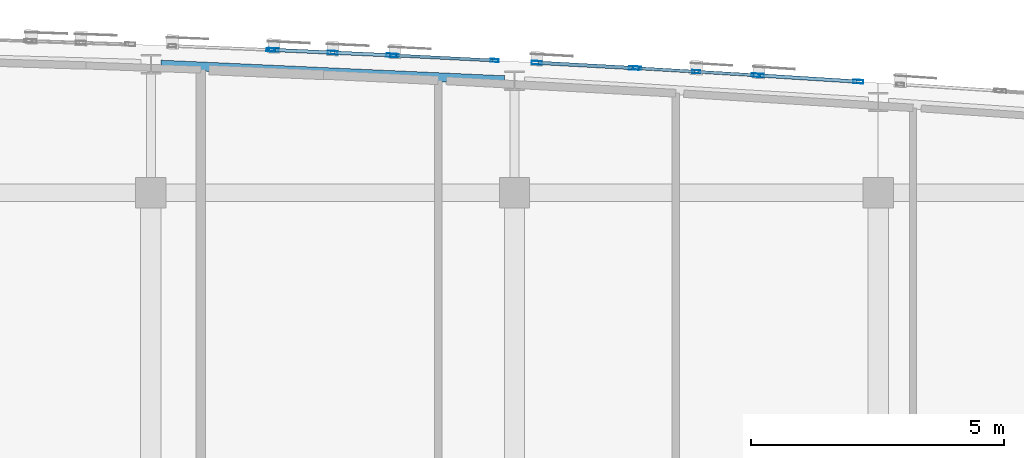
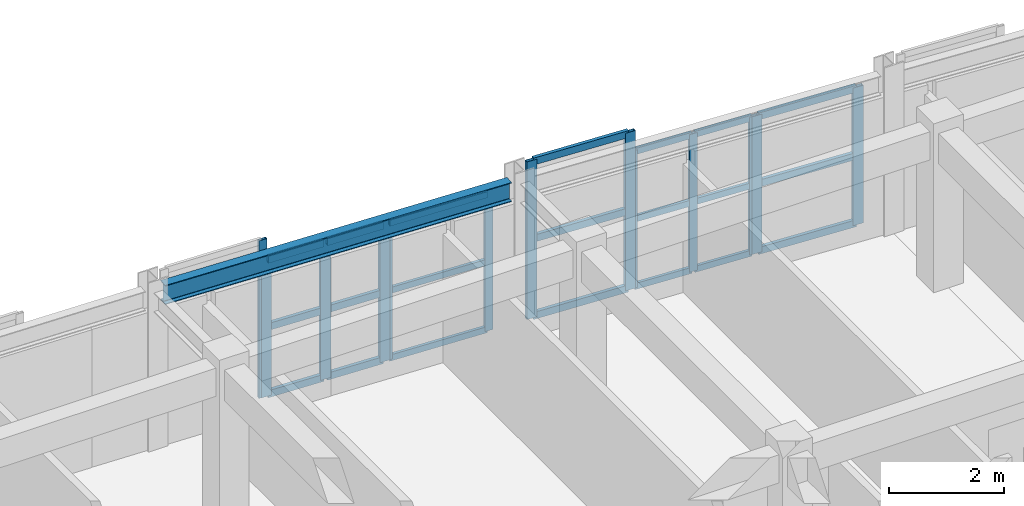
# One storey, part 21 of 45: 34 members, 1 beam, 6 elements without a shape of their own.
"""IFC4 building model written with IfcOpenShell, lengths in metres."""

from ifc_helpers import new_model, si_unit, direction, frame, origin, origin_2d, place, context, subcontext, project, spatial, hollow_rectangle, i_section, extrude, material, layer, layer_set, material_profile, profile_set, type_object, element, aggregate, save


model = new_model("IFC4")

# Units and contexts
model_context = context("Model", 3, precision=1e-05, world=origin(), true_north=direction((0.0, 1.0)))
body_context = subcontext(model_context, "Body", "Model", "MODEL_VIEW")
ifc_project = project(units=[si_unit("LENGTHUNIT", "METRE"), si_unit("AREAUNIT", "SQUARE_METRE"), si_unit("VOLUMEUNIT", "CUBIC_METRE"), si_unit("PLANEANGLEUNIT", "RADIAN"), si_unit("MASSUNIT", "GRAM", prefix="KILO")], contexts=[model_context])

# Site, building, storey
site_placement = place(None, origin())
site = spatial("IfcSite", under=ifc_project, at=site_placement, CompositionType="ELEMENT")
building_placement = place(site_placement, origin())
building = spatial("IfcBuilding", under=site, at=building_placement, Name="Carrowvane Square Congress Hotel", CompositionType="ELEMENT")
storey_placement = place(building_placement, frame((0.0, 0.0, 33.60009765625)))
storey = spatial("IfcBuildingStorey", under=building, at=storey_placement, Name="L08", CompositionType="ELEMENT", Elevation=33.60009765625)

# Beam
ifc_material_1 = material(Name="Steel S355", Category="steel")
ifc_material_profile_1 = material_profile(ifc_material_1, i_section(OverallWidth=0.1787109375, OverallDepth=0.409423828125, WebThickness=0.0087890625, FlangeThickness=0.014404296875, FilletRadius=0.01025390625, at=origin_2d()), Name="UKB 406x178x67")
ifc_profile_set_1 = profile_set([ifc_material_profile_1], Name="Steel S355")
beam_type = type_object("IfcBeamType", Name="BM-ST-UKB406", PredefinedType="BEAM", material=ifc_profile_set_1)
beam_placement = place(storey_placement, frame((112.59716796875, 115.93505859375, 3.1552734375), z_axis=(0.99897355857, -0.045297122185, 0.0), x_axis=(0.045297122185, 0.99897355857, 0.0)))
element("IfcBeam", 1, at=beam_placement, inside=storey, type_object=beam_type, Name="L09 curved north spandrel", PredefinedType="BEAM", context=body_context, shape_type="SweptSolid", body=[
    extrude(i_section(OverallWidth=0.1787109375, OverallDepth=0.409423828125, WebThickness=0.0087890625, FlangeThickness=0.014404296875, FilletRadius=0.01025390625, at=origin_2d()), origin(), (0.0, 0.0, 1.0), 6.812744140625),
])

# Curtain wall, member
ifc_material_2 = material(Name="Anodised aluminium", Category="aluminium")
ifc_layer_1 = layer(ifc_material_2, 0.162109375)
ifc_layer_set_1 = layer_set([ifc_layer_1], Name="Anodised aluminium")
curtain_wall_type_1 = type_object("IfcCurtainWallType", Name="CW-SYS-1", PredefinedType="NOTDEFINED", material=ifc_layer_set_1)
curtain_wall_1_placement = place(storey_placement, origin())
curtain_wall_1 = element("IfcCurtainWall", 2, at=curtain_wall_1_placement, inside=storey, type_object=curtain_wall_type_1, Name="L08 unitised curtain wall 488", PredefinedType="NOTDEFINED")
ifc_material_3 = material(Name="Anodised aluminium", Category="aluminium")
ifc_material_profile_2 = material_profile(ifc_material_3, hollow_rectangle(XDim=0.06005859375, YDim=0.159912109375, WallThickness=0.00390625, at=origin_2d()), Name="CW-ML 60x160x4")
ifc_profile_set_2 = profile_set([ifc_material_profile_2], Name="Anodised aluminium")
member_type_1 = type_object("IfcMemberType", Name="CW-MUL-1", PredefinedType="MULLION", material=ifc_profile_set_2)
member_1_placement = place(storey_placement, frame((114.77001953125, 116.228759765625, 0.0), z_axis=(0.0, 0.0, 1.0), x_axis=(0.040130957403, 0.999194428656, 0.0)))
member_1 = element("IfcMember", 3, at=member_1_placement, type_object=member_type_1, Name="CW-1 mullion 2", PredefinedType="MULLION", context=body_context, shape_type="SweptSolid", body=[
    extrude(hollow_rectangle(XDim=0.06005859375, YDim=0.159912109375, WallThickness=0.00390625, at=origin_2d()), origin(), (0.0, 0.0, 1.0), 3.35986328125),
])
aggregate(curtain_wall_1, [member_1])

# Curtain wall, members
ifc_material_4 = material(Name="Anodised aluminium", Category="aluminium")
ifc_layer_2 = layer(ifc_material_4, 0.18603515625)
ifc_layer_set_2 = layer_set([ifc_layer_2], Name="Anodised aluminium")
curtain_wall_type_2 = type_object("IfcCurtainWallType", Name="CW-SYS-3", PredefinedType="NOTDEFINED", material=ifc_layer_set_2)
curtain_wall_2_placement = place(storey_placement, origin())
curtain_wall_2 = element("IfcCurtainWall", 4, at=curtain_wall_2_placement, inside=storey, type_object=curtain_wall_type_2, Name="L08 unitised curtain wall 490", PredefinedType="NOTDEFINED")
member_2_placement = place(storey_placement, frame((117.22998046875, 116.116943359375, 0.0), z_axis=(0.0, 0.0, 1.0), x_axis=(0.050323791596, 0.998732955299, 0.0)))
member_2 = element("IfcMember", 5, at=member_2_placement, type_object=member_type_1, Name="CW-3 mullion 1", PredefinedType="MULLION", context=body_context, shape_type="SweptSolid", body=[
    extrude(hollow_rectangle(XDim=0.06005859375, YDim=0.159912109375, WallThickness=0.00390625, at=origin_2d()), origin(), (0.0, 0.0, 1.0), 2.935546875),
])
member_3_placement = place(storey_placement, frame((119.20556640625, 116.017578125, 0.0), z_axis=(0.0, 0.0, 1.0), x_axis=(0.050323791596, 0.998732955299, 0.0)))
member_3 = element("IfcMember", 6, at=member_3_placement, type_object=member_type_1, Name="CW-3 mullion 2", PredefinedType="MULLION", context=body_context, shape_type="SweptSolid", body=[
    extrude(hollow_rectangle(XDim=0.06005859375, YDim=0.159912109375, WallThickness=0.00390625, at=origin_2d()), origin(), (0.0, 0.0, 1.0), 2.935546875),
])

ifc_material_5 = material(Name="Anodised aluminium", Category="aluminium")
ifc_layer_3 = layer(ifc_material_5, 0.2099609375)
ifc_layer_set_3 = layer_set([ifc_layer_3], Name="Anodised aluminium")
curtain_wall_type_3 = type_object("IfcCurtainWallType", Name="CW-SYS-5", PredefinedType="NOTDEFINED", material=ifc_layer_set_3)
curtain_wall_3_placement = place(storey_placement, origin())
curtain_wall_3 = element("IfcCurtainWall", 7, at=curtain_wall_3_placement, inside=storey, type_object=curtain_wall_type_3, Name="L08 unitised curtain wall 492", PredefinedType="NOTDEFINED")
member_4_placement = place(storey_placement, frame((122.030029296875, 115.864013671875, 0.0), z_axis=(0.0, 0.0, 1.0), x_axis=(0.058851249486, 0.998266763162, 0.0)))
member_4 = element("IfcMember", 8, at=member_4_placement, type_object=member_type_1, Name="CW-5 mullion 1", PredefinedType="MULLION", context=body_context, shape_type="SweptSolid", body=[
    extrude(hollow_rectangle(XDim=0.06005859375, YDim=0.159912109375, WallThickness=0.00390625, at=origin_2d()), origin(), (0.0, 0.0, 1.0), 2.935546875),
])
member_5_placement = place(storey_placement, frame((123.199951171875, 115.795166015625, 0.0), z_axis=(0.0, 0.0, 1.0), x_axis=(0.058851249486, 0.998266763162, 0.0)))
member_5 = element("IfcMember", 9, at=member_5_placement, type_object=member_type_1, Name="CW-5 mullion 2", PredefinedType="MULLION", context=body_context, shape_type="SweptSolid", body=[
    extrude(hollow_rectangle(XDim=0.06005859375, YDim=0.159912109375, WallThickness=0.00390625, at=origin_2d()), origin(), (0.0, 0.0, 1.0), 2.935546875),
])
member_6_placement = place(storey_placement, frame((124.3701171875, 115.72607421875, 0.0), z_axis=(0.0, 0.0, 1.0), x_axis=(0.058851249486, 0.998266763162, 0.0)))
member_6 = element("IfcMember", 10, at=member_6_placement, type_object=member_type_1, Name="CW-5 mullion 3", PredefinedType="MULLION", context=body_context, shape_type="SweptSolid", body=[
    extrude(hollow_rectangle(XDim=0.06005859375, YDim=0.159912109375, WallThickness=0.00390625, at=origin_2d()), origin(), (0.0, 0.0, 1.0), 2.935546875),
])

ifc_material_6 = material(Name="Anodised aluminium", Category="aluminium")
ifc_layer_4 = layer(ifc_material_6, 0.174072265625)
ifc_layer_set_4 = layer_set([ifc_layer_4], Name="Anodised aluminium")
curtain_wall_type_4 = type_object("IfcCurtainWallType", Name="CW-SYS-2", PredefinedType="NOTDEFINED", material=ifc_layer_set_4)
curtain_wall_4_placement = place(storey_placement, origin())
curtain_wall_4 = element("IfcCurtainWall", 11, at=curtain_wall_4_placement, inside=storey, type_object=curtain_wall_type_4, Name="L08 unitised curtain wall 489", PredefinedType="NOTDEFINED")
ifc_material_7 = material(Name="Anodised aluminium", Category="aluminium")
ifc_material_profile_3 = material_profile(ifc_material_7, hollow_rectangle(XDim=0.070068359375, YDim=0.199951171875, WallThickness=0.0048828125, at=origin_2d()), Name="CW-ML 70x200x5")
ifc_profile_set_3 = profile_set([ifc_material_profile_3], Name="Anodised aluminium")
member_type_2 = type_object("IfcMemberType", Name="CW-MUL-2", PredefinedType="MULLION", material=ifc_profile_set_3)
member_7_placement = place(storey_placement, frame((114.8349609375, 116.22607421875, 0.0), z_axis=(0.0, 0.0, 1.0), x_axis=(0.045411059449, 0.998968385726, 0.0)))
member_7 = element("IfcMember", 12, at=member_7_placement, type_object=member_type_2, Name="CW-2 mullion 1", PredefinedType="MULLION", context=body_context, shape_type="SweptSolid", body=[
    extrude(hollow_rectangle(XDim=0.070068359375, YDim=0.199951171875, WallThickness=0.0048828125, at=origin_2d()), origin(), (0.0, 0.0, 1.0), 2.935546875),
])
member_8_placement = place(storey_placement, frame((116.0, 116.173095703125, 0.0), z_axis=(0.0, 0.0, 1.0), x_axis=(0.045411059449, 0.998968385726, 0.0)))
member_8 = element("IfcMember", 13, at=member_8_placement, type_object=member_type_2, Name="CW-2 mullion 2", PredefinedType="MULLION", context=body_context, shape_type="SweptSolid", body=[
    extrude(hollow_rectangle(XDim=0.070068359375, YDim=0.199951171875, WallThickness=0.0048828125, at=origin_2d()), origin(), (0.0, 0.0, 1.0), 2.935546875),
])
member_9_placement = place(storey_placement, frame((117.1650390625, 116.1201171875, 0.0), z_axis=(0.0, 0.0, 1.0), x_axis=(0.045411059449, 0.998968385726, 0.0)))
member_9 = element("IfcMember", 14, at=member_9_placement, type_object=member_type_2, Name="CW-2 mullion 3", PredefinedType="MULLION", context=body_context, shape_type="SweptSolid", body=[
    extrude(hollow_rectangle(XDim=0.070068359375, YDim=0.199951171875, WallThickness=0.0048828125, at=origin_2d()), origin(), (0.0, 0.0, 1.0), 2.935546875),
])

ifc_material_8 = material(Name="Anodised aluminium", Category="aluminium")
ifc_layer_5 = layer(ifc_material_8, 0.197998046875)
ifc_layer_set_5 = layer_set([ifc_layer_5], Name="Anodised aluminium")
curtain_wall_type_5 = type_object("IfcCurtainWallType", Name="CW-SYS-4", PredefinedType="NOTDEFINED", material=ifc_layer_set_5)
curtain_wall_5_placement = place(storey_placement, origin())
curtain_wall_5 = element("IfcCurtainWall", 15, at=curtain_wall_5_placement, inside=storey, type_object=curtain_wall_type_5, Name="L08 unitised curtain wall 491", PredefinedType="NOTDEFINED")
member_10_placement = place(storey_placement, frame((120.03955078125, 115.973388671875, 0.0), z_axis=(0.0, 0.0, 1.0), x_axis=(0.054815980317, 0.998496473856, 0.0)))
member_10 = element("IfcMember", 16, at=member_10_placement, type_object=member_type_2, Name="CW-4 mullion 1", PredefinedType="MULLION", context=body_context, shape_type="SweptSolid", body=[
    extrude(hollow_rectangle(XDim=0.070068359375, YDim=0.199951171875, WallThickness=0.0048828125, at=origin_2d()), origin(), (0.0, 0.0, 1.0), 3.35986328125),
])
member_11_placement = place(storey_placement, frame((121.965087890625, 115.86767578125, 0.0), z_axis=(0.0, 0.0, 1.0), x_axis=(0.054815980317, 0.998496473856, 0.0)))
member_11 = element("IfcMember", 17, at=member_11_placement, type_object=member_type_2, Name="CW-4 mullion 2", PredefinedType="MULLION", context=body_context, shape_type="SweptSolid", body=[
    extrude(hollow_rectangle(XDim=0.070068359375, YDim=0.199951171875, WallThickness=0.0048828125, at=origin_2d()), origin(), (0.0, 0.0, 1.0), 3.35986328125),
])

ifc_material_9 = material(Name="Anodised aluminium", Category="aluminium")
ifc_layer_6 = layer(ifc_material_9, 0.221923828125)
ifc_layer_set_6 = layer_set([ifc_layer_6], Name="Anodised aluminium")
curtain_wall_type_6 = type_object("IfcCurtainWallType", Name="CW-SYS-6", PredefinedType="NOTDEFINED", material=ifc_layer_set_6)
curtain_wall_6_placement = place(storey_placement, origin())
curtain_wall_6 = element("IfcCurtainWall", 18, at=curtain_wall_6_placement, inside=storey, type_object=curtain_wall_type_6, Name="L08 unitised curtain wall 493", PredefinedType="NOTDEFINED")
member_12_placement = place(storey_placement, frame((124.434814453125, 115.72216796875, 0.0), z_axis=(0.0, 0.0, 1.0), x_axis=(0.062397170272, 0.998051398046, 0.0)))
member_12 = element("IfcMember", 19, at=member_12_placement, type_object=member_type_2, Name="CW-6 mullion 1", PredefinedType="MULLION", context=body_context, shape_type="SweptSolid", body=[
    extrude(hollow_rectangle(XDim=0.070068359375, YDim=0.199951171875, WallThickness=0.0048828125, at=origin_2d()), origin(), (0.0, 0.0, 1.0), 2.935546875),
])
member_13_placement = place(storey_placement, frame((126.405029296875, 115.598876953125, 0.0), z_axis=(0.0, 0.0, 1.0), x_axis=(0.062397170272, 0.998051398046, 0.0)))
member_13 = element("IfcMember", 20, at=member_13_placement, type_object=member_type_2, Name="CW-6 mullion 2", PredefinedType="MULLION", context=body_context, shape_type="SweptSolid", body=[
    extrude(hollow_rectangle(XDim=0.070068359375, YDim=0.199951171875, WallThickness=0.0048828125, at=origin_2d()), origin(), (0.0, 0.0, 1.0), 2.935546875),
])

# Member
ifc_material_10 = material(Name="Anodised aluminium", Category="aluminium")
ifc_material_profile_4 = material_profile(ifc_material_10, hollow_rectangle(XDim=0.06005859375, YDim=0.1298828125, WallThickness=0.00390625, at=origin_2d()), Name="CW-TR 60x130x4")
ifc_profile_set_4 = profile_set([ifc_material_profile_4], Name="Anodised aluminium")
member_type_3 = type_object("IfcMemberType", Name="CW-TRN-1", PredefinedType="USERDEFINED", material=ifc_profile_set_4)
member_14_placement = place(storey_placement, frame((117.260009765625, 116.115478515625, 0.02978515625), z_axis=(0.998735138435, -0.050280446047, 0.0), x_axis=(0.050280446047, 0.998735138435, 0.0)))
member_14 = element("IfcMember", 21, at=member_14_placement, type_object=member_type_3, Name="CW-3 transom 1.1", ObjectType="TRANSOM", PredefinedType="USERDEFINED", context=body_context, shape_type="SweptSolid", body=[
    extrude(hollow_rectangle(XDim=0.06005859375, YDim=0.1298828125, WallThickness=0.00390625, at=origin_2d()), origin(), (0.0, 0.0, 1.0), 1.91796875),
])

member_15_placement = place(storey_placement, frame((117.260009765625, 116.115478515625, 1.4677734375), z_axis=(0.998735138435, -0.050280446047, 0.0), x_axis=(0.050280446047, 0.998735138435, 0.0)))
member_15 = element("IfcMember", 22, at=member_15_placement, type_object=member_type_3, Name="CW-3 transom 1.2", ObjectType="TRANSOM", PredefinedType="USERDEFINED", context=body_context, shape_type="SweptSolid", body=[
    extrude(hollow_rectangle(XDim=0.06005859375, YDim=0.1298828125, WallThickness=0.00390625, at=origin_2d()), origin(), (0.0, 0.0, 1.0), 1.91796875),
])

member_16_placement = place(storey_placement, frame((117.260009765625, 116.115478515625, 2.905517578125), z_axis=(0.998735138435, -0.050280446047, 0.0), x_axis=(0.050280446047, 0.998735138435, 0.0)))
member_16 = element("IfcMember", 23, at=member_16_placement, type_object=member_type_3, Name="CW-3 transom 1.3", ObjectType="TRANSOM", PredefinedType="USERDEFINED", context=body_context, shape_type="SweptSolid", body=[
    extrude(hollow_rectangle(XDim=0.06005859375, YDim=0.1298828125, WallThickness=0.00390625, at=origin_2d()), origin(), (0.0, 0.0, 1.0), 1.91796875),
])

aggregate(curtain_wall_2, [member_2, member_3, member_14, member_15, member_16])

member_17_placement = place(storey_placement, frame((122.059814453125, 115.8623046875, 0.02978515625), z_axis=(0.998268312803, -0.058824957747, 0.0), x_axis=(0.058824957747, 0.998268312803, 0.0)))
member_17 = element("IfcMember", 24, at=member_17_placement, type_object=member_type_3, Name="CW-5 transom 1.1", ObjectType="TRANSOM", PredefinedType="USERDEFINED", context=body_context, shape_type="SweptSolid", body=[
    extrude(hollow_rectangle(XDim=0.06005859375, YDim=0.1298828125, WallThickness=0.00390625, at=origin_2d()), origin(), (0.0, 0.0, 1.0), 1.1123046875),
])

member_18_placement = place(storey_placement, frame((122.059814453125, 115.8623046875, 1.4677734375), z_axis=(0.998268312803, -0.058824957747, 0.0), x_axis=(0.058824957747, 0.998268312803, 0.0)))
member_18 = element("IfcMember", 25, at=member_18_placement, type_object=member_type_3, Name="CW-5 transom 1.2", ObjectType="TRANSOM", PredefinedType="USERDEFINED", context=body_context, shape_type="SweptSolid", body=[
    extrude(hollow_rectangle(XDim=0.06005859375, YDim=0.1298828125, WallThickness=0.00390625, at=origin_2d()), origin(), (0.0, 0.0, 1.0), 1.1123046875),
])

member_19_placement = place(storey_placement, frame((122.059814453125, 115.8623046875, 2.905517578125), z_axis=(0.998268312803, -0.058824957747, 0.0), x_axis=(0.058824957747, 0.998268312803, 0.0)))
member_19 = element("IfcMember", 26, at=member_19_placement, type_object=member_type_3, Name="CW-5 transom 1.3", ObjectType="TRANSOM", PredefinedType="USERDEFINED", context=body_context, shape_type="SweptSolid", body=[
    extrude(hollow_rectangle(XDim=0.06005859375, YDim=0.1298828125, WallThickness=0.00390625, at=origin_2d()), origin(), (0.0, 0.0, 1.0), 1.1123046875),
])

member_20_placement = place(storey_placement, frame((123.22998046875, 115.793212890625, 0.02978515625), z_axis=(0.998267553014, -0.058837850057, 0.0), x_axis=(0.058837850057, 0.998267553014, 0.0)))
member_20 = element("IfcMember", 27, at=member_20_placement, type_object=member_type_3, Name="CW-5 transom 2.1", ObjectType="TRANSOM", PredefinedType="USERDEFINED", context=body_context, shape_type="SweptSolid", body=[
    extrude(hollow_rectangle(XDim=0.06005859375, YDim=0.1298828125, WallThickness=0.00390625, at=origin_2d()), origin(), (0.0, 0.0, 1.0), 1.112060546875),
])

member_21_placement = place(storey_placement, frame((123.22998046875, 115.793212890625, 1.4677734375), z_axis=(0.998267553014, -0.058837850057, 0.0), x_axis=(0.058837850057, 0.998267553014, 0.0)))
member_21 = element("IfcMember", 28, at=member_21_placement, type_object=member_type_3, Name="CW-5 transom 2.2", ObjectType="TRANSOM", PredefinedType="USERDEFINED", context=body_context, shape_type="SweptSolid", body=[
    extrude(hollow_rectangle(XDim=0.06005859375, YDim=0.1298828125, WallThickness=0.00390625, at=origin_2d()), origin(), (0.0, 0.0, 1.0), 1.112060546875),
])

member_22_placement = place(storey_placement, frame((123.22998046875, 115.793212890625, 2.905517578125), z_axis=(0.998267553014, -0.058837850057, 0.0), x_axis=(0.058837850057, 0.998267553014, 0.0)))
member_22 = element("IfcMember", 29, at=member_22_placement, type_object=member_type_3, Name="CW-5 transom 2.3", ObjectType="TRANSOM", PredefinedType="USERDEFINED", context=body_context, shape_type="SweptSolid", body=[
    extrude(hollow_rectangle(XDim=0.06005859375, YDim=0.1298828125, WallThickness=0.00390625, at=origin_2d()), origin(), (0.0, 0.0, 1.0), 1.112060546875),
])

aggregate(curtain_wall_3, [member_4, member_5, member_6, member_17, member_18, member_19, member_20, member_21, member_22])

ifc_material_11 = material(Name="Anodised aluminium", Category="aluminium")
ifc_material_profile_5 = material_profile(ifc_material_11, hollow_rectangle(XDim=0.070068359375, YDim=0.14990234375, WallThickness=0.0048828125, at=origin_2d()), Name="CW-TR 70x150x5")
ifc_profile_set_5 = profile_set([ifc_material_profile_5], Name="Anodised aluminium")
member_type_4 = type_object("IfcMemberType", Name="CW-TRN-2", PredefinedType="USERDEFINED", material=ifc_profile_set_5)
member_23_placement = place(storey_placement, frame((114.869873046875, 116.224365234375, 0.034912109375), z_axis=(0.998967621715, -0.045427863315, 0.0), x_axis=(0.045427863315, 0.998967621715, 0.0)))
member_23 = element("IfcMember", 30, at=member_23_placement, type_object=member_type_4, Name="CW-2 transom 1.1", ObjectType="TRANSOM", PredefinedType="USERDEFINED", context=body_context, shape_type="SweptSolid", body=[
    extrude(hollow_rectangle(XDim=0.070068359375, YDim=0.14990234375, WallThickness=0.0048828125, at=origin_2d()), origin(), (0.0, 0.0, 1.0), 1.096435546875),
])

member_24_placement = place(storey_placement, frame((114.869873046875, 116.224365234375, 1.4677734375), z_axis=(0.998967621715, -0.045427863315, 0.0), x_axis=(0.045427863315, 0.998967621715, 0.0)))
member_24 = element("IfcMember", 31, at=member_24_placement, type_object=member_type_4, Name="CW-2 transom 1.2", ObjectType="TRANSOM", PredefinedType="USERDEFINED", context=body_context, shape_type="SweptSolid", body=[
    extrude(hollow_rectangle(XDim=0.070068359375, YDim=0.14990234375, WallThickness=0.0048828125, at=origin_2d()), origin(), (0.0, 0.0, 1.0), 1.096435546875),
])

member_25_placement = place(storey_placement, frame((114.869873046875, 116.224365234375, 2.900390625), z_axis=(0.998967621715, -0.045427863315, 0.0), x_axis=(0.045427863315, 0.998967621715, 0.0)))
member_25 = element("IfcMember", 32, at=member_25_placement, type_object=member_type_4, Name="CW-2 transom 1.3", ObjectType="TRANSOM", PredefinedType="USERDEFINED", context=body_context, shape_type="SweptSolid", body=[
    extrude(hollow_rectangle(XDim=0.070068359375, YDim=0.14990234375, WallThickness=0.0048828125, at=origin_2d()), origin(), (0.0, 0.0, 1.0), 1.096435546875),
])

member_26_placement = place(storey_placement, frame((116.034912109375, 116.17138671875, 0.034912109375), z_axis=(0.998967621715, -0.045427863315, 0.0), x_axis=(0.045427863315, 0.998967621715, 0.0)))
member_26 = element("IfcMember", 33, at=member_26_placement, type_object=member_type_4, Name="CW-2 transom 2.1", ObjectType="TRANSOM", PredefinedType="USERDEFINED", context=body_context, shape_type="SweptSolid", body=[
    extrude(hollow_rectangle(XDim=0.070068359375, YDim=0.14990234375, WallThickness=0.0048828125, at=origin_2d()), origin(), (0.0, 0.0, 1.0), 1.096435546875),
])

member_27_placement = place(storey_placement, frame((116.034912109375, 116.17138671875, 1.4677734375), z_axis=(0.998967621715, -0.045427863315, 0.0), x_axis=(0.045427863315, 0.998967621715, 0.0)))
member_27 = element("IfcMember", 34, at=member_27_placement, type_object=member_type_4, Name="CW-2 transom 2.2", ObjectType="TRANSOM", PredefinedType="USERDEFINED", context=body_context, shape_type="SweptSolid", body=[
    extrude(hollow_rectangle(XDim=0.070068359375, YDim=0.14990234375, WallThickness=0.0048828125, at=origin_2d()), origin(), (0.0, 0.0, 1.0), 1.096435546875),
])

member_28_placement = place(storey_placement, frame((116.034912109375, 116.17138671875, 2.900390625), z_axis=(0.998967621715, -0.045427863315, 0.0), x_axis=(0.045427863315, 0.998967621715, 0.0)))
member_28 = element("IfcMember", 35, at=member_28_placement, type_object=member_type_4, Name="CW-2 transom 2.3", ObjectType="TRANSOM", PredefinedType="USERDEFINED", context=body_context, shape_type="SweptSolid", body=[
    extrude(hollow_rectangle(XDim=0.070068359375, YDim=0.14990234375, WallThickness=0.0048828125, at=origin_2d()), origin(), (0.0, 0.0, 1.0), 1.096435546875),
])

aggregate(curtain_wall_4, [member_7, member_8, member_9, member_23, member_24, member_25, member_26, member_27, member_28])

member_29_placement = place(storey_placement, frame((120.074462890625, 115.971435546875, 0.034912109375), z_axis=(0.998498512711, -0.054778829075, 0.0), x_axis=(0.054778829075, 0.998498512711, 0.0)))
member_29 = element("IfcMember", 36, at=member_29_placement, type_object=member_type_4, Name="CW-4 transom 1.1", ObjectType="TRANSOM", PredefinedType="USERDEFINED", context=body_context, shape_type="SweptSolid", body=[
    extrude(hollow_rectangle(XDim=0.070068359375, YDim=0.14990234375, WallThickness=0.0048828125, at=origin_2d()), origin(), (0.0, 0.0, 1.0), 1.8583984375),
])

member_30_placement = place(storey_placement, frame((120.074462890625, 115.971435546875, 1.679931640625), z_axis=(0.998498512711, -0.054778829075, 0.0), x_axis=(0.054778829075, 0.998498512711, 0.0)))
member_30 = element("IfcMember", 37, at=member_30_placement, type_object=member_type_4, Name="CW-4 transom 1.2", ObjectType="TRANSOM", PredefinedType="USERDEFINED", context=body_context, shape_type="SweptSolid", body=[
    extrude(hollow_rectangle(XDim=0.070068359375, YDim=0.14990234375, WallThickness=0.0048828125, at=origin_2d()), origin(), (0.0, 0.0, 1.0), 1.8583984375),
])

member_31_placement = place(storey_placement, frame((120.074462890625, 115.971435546875, 3.324951171875), z_axis=(0.998498512711, -0.054778829075, 0.0), x_axis=(0.054778829075, 0.998498512711, 0.0)))
member_31 = element("IfcMember", 38, at=member_31_placement, type_object=member_type_4, Name="CW-4 transom 1.3", ObjectType="TRANSOM", PredefinedType="USERDEFINED", context=body_context, shape_type="SweptSolid", body=[
    extrude(hollow_rectangle(XDim=0.070068359375, YDim=0.14990234375, WallThickness=0.0048828125, at=origin_2d()), origin(), (0.0, 0.0, 1.0), 1.8583984375),
])

aggregate(curtain_wall_5, [member_10, member_11, member_29, member_30, member_31])

member_32_placement = place(storey_placement, frame((124.469970703125, 115.719970703125, 0.034912109375), z_axis=(0.998048085199, -0.062450137157, 0.0), x_axis=(0.062450137157, 0.998048085199, 0.0)))
member_32 = element("IfcMember", 39, at=member_32_placement, type_object=member_type_4, Name="CW-6 transom 1.1", ObjectType="TRANSOM", PredefinedType="USERDEFINED", context=body_context, shape_type="SweptSolid", body=[
    extrude(hollow_rectangle(XDim=0.070068359375, YDim=0.14990234375, WallThickness=0.0048828125, at=origin_2d()), origin(), (0.0, 0.0, 1.0), 1.90380859375),
])

member_33_placement = place(storey_placement, frame((124.469970703125, 115.719970703125, 1.4677734375), z_axis=(0.998048085199, -0.062450137157, 0.0), x_axis=(0.062450137157, 0.998048085199, 0.0)))
member_33 = element("IfcMember", 40, at=member_33_placement, type_object=member_type_4, Name="CW-6 transom 1.2", ObjectType="TRANSOM", PredefinedType="USERDEFINED", context=body_context, shape_type="SweptSolid", body=[
    extrude(hollow_rectangle(XDim=0.070068359375, YDim=0.14990234375, WallThickness=0.0048828125, at=origin_2d()), origin(), (0.0, 0.0, 1.0), 1.90380859375),
])

member_34_placement = place(storey_placement, frame((124.469970703125, 115.719970703125, 2.900390625), z_axis=(0.998048085199, -0.062450137157, 0.0), x_axis=(0.062450137157, 0.998048085199, 0.0)))
member_34 = element("IfcMember", 41, at=member_34_placement, type_object=member_type_4, Name="CW-6 transom 1.3", ObjectType="TRANSOM", PredefinedType="USERDEFINED", context=body_context, shape_type="SweptSolid", body=[
    extrude(hollow_rectangle(XDim=0.070068359375, YDim=0.14990234375, WallThickness=0.0048828125, at=origin_2d()), origin(), (0.0, 0.0, 1.0), 1.90380859375),
])

aggregate(curtain_wall_6, [member_12, member_13, member_32, member_33, member_34])

save(model, "model.ifc")
